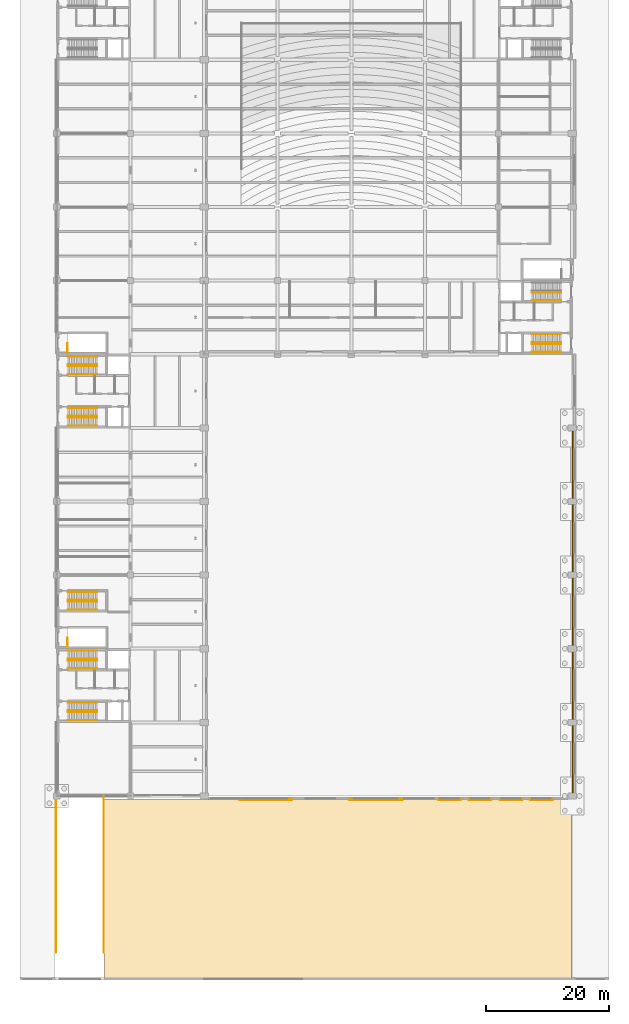
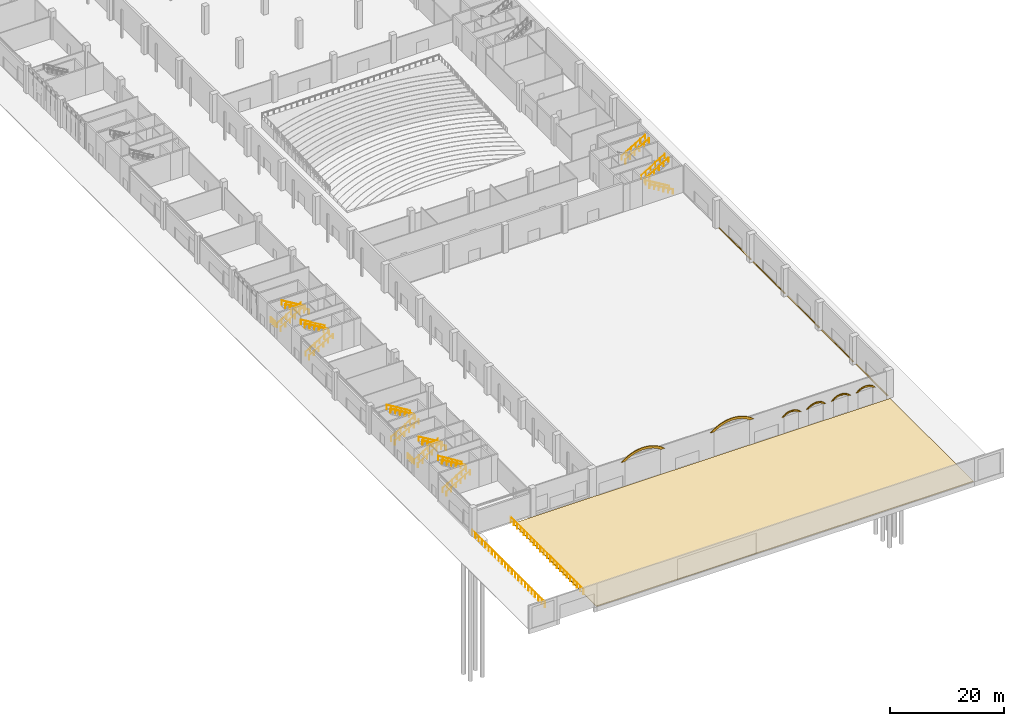
# One storey, part 53 of 59: 30 railings, 12 coverings.
"""IFC4 building model written with IfcOpenShell, lengths in metres."""

from ifc_helpers import new_model, si_unit, direction, frame, origin, origin_2d, place, context, subcontext, project, spatial, polyline, circle, outline, extrude, material, layer, layer_set, constituent, constituent_set, type_object, element, save


model = new_model("IFC4")

# Units and contexts
model_context = context("Model", 3, precision=1e-05, world=origin(), true_north=direction((0.0, 1.0)))
body_context = subcontext(model_context, "Body", "Model", "MODEL_VIEW")
ifc_project = project(units=[si_unit("LENGTHUNIT", "METRE"), si_unit("AREAUNIT", "SQUARE_METRE"), si_unit("VOLUMEUNIT", "CUBIC_METRE"), si_unit("PLANEANGLEUNIT", "RADIAN"), si_unit("MASSUNIT", "GRAM", prefix="KILO")], contexts=[model_context])

# Site, building, storey
site_placement = place(None, origin())
site = spatial("IfcSite", under=ifc_project, at=site_placement, CompositionType="ELEMENT")
building_placement = place(site_placement, origin())
building = spatial("IfcBuilding", under=site, at=building_placement, Name="Lilac Gate Convention Centre", CompositionType="ELEMENT")
storey_placement = place(building_placement, origin())
storey = spatial("IfcBuildingStorey", under=building, at=storey_placement, Name="L00", CompositionType="ELEMENT", Elevation=0.0)

# Coverings
ifc_material_1 = material(Name="Concrete C40 precast", Category="concrete")
ifc_layer_1 = layer(ifc_material_1, 0.1298828125)
ifc_material_2 = material(Name="Terracotta glazed cladding", Category="masonry")
ifc_layer_2 = layer(ifc_material_2, 0.02001953125)
ifc_layer_set_1 = layer_set([ifc_layer_1, ifc_layer_2], Name="Concrete C40 precast, Terracotta glazed cladding")
covering_type_1 = type_object("IfcCoveringType", Name="Cladding archivolt 150", PredefinedType="CLADDING", material=ifc_layer_set_1)
for number, where, z_axis, x_axis, name in (
    (1, (35.6171875, 29.375, 5.39990234375), (0.0, 0.0, 1.0), (1.0, 0.0, 0.0), "Service portal archivolt drive-in 1"),
    (2, (53.6171875, 29.375, 5.39990234375), (0.0, 0.0, 1.0), (1.0, 0.0, 0.0), "Service portal archivolt drive-in 2"),
):
    element("IfcCovering", number, at=place(storey_placement, frame(where, z_axis=z_axis, x_axis=x_axis)), inside=storey, type_object=covering_type_1, Name=name, PredefinedType="CLADDING", context=body_context, shape_type="SweptSolid", body=[
        extrude(outline(polyline([(0.0, 0.0), (0.782958984375, 0.0), (0.782958984375, 0.0), (1.182861328125, 0.275390625), (1.5830078125, 0.506591796875), (1.98291015625, 0.69921875), (2.3828125, 0.85693359375), (2.782958984375, 0.98291015625), (3.182861328125, 1.078857421875), (3.5830078125, 1.146484375), (3.98291015625, 1.186767578125), (4.3828125, 1.2001953125), (4.782958984375, 1.186767578125), (5.182861328125, 1.146484375), (5.5830078125, 1.078857421875), (5.98291015625, 0.98291015625), (6.3828125, 0.85693359375), (6.782958984375, 0.69921875), (7.182861328125, 0.506591796875), (7.5830078125, 0.275390625), (7.98291015625, 0.0), (7.98291015625, 0.0), (8.765869140625, 0.0), (8.765869140625, 0.0), (8.367431640625, 0.335693359375), (7.968994140625, 0.621337890625), (7.570556640625, 0.86474609375), (7.172119140625, 1.0712890625), (6.773681640625, 1.244384765625), (6.375244140625, 1.38720703125), (5.976806640625, 1.501708984375), (5.578369140625, 1.589111328125), (5.1796875, 1.651123046875), (4.781494140625, 1.68798828125), (4.3828125, 1.7001953125), (3.984619140625, 1.68798828125), (3.5859375, 1.651123046875), (3.1875, 1.589111328125), (2.7890625, 1.501708984375), (2.390625, 1.38720703125), (1.9921875, 1.244384765625), (1.59375, 1.0712890625), (1.1953125, 0.86474609375), (0.796875, 0.621337890625), (0.3984375, 0.335693359375), (0.0, 0.0), (0.0, 0.0)])), frame((0.0, 0.074951171875, 0.0), z_axis=(0.0, -1.0, 0.0), x_axis=(1.0, 0.0, 0.0)), (0.0, 0.0, 1.0), 0.14990234375),
    ])
for number, where, z_axis, x_axis, name in (
    (3, (68.0908203125, 29.375, 3.60009765625), (0.0, 0.0, 1.0), (1.0, 0.0, 0.0), "Service portal archivolt dock 1"),
    (4, (73.0908203125, 29.375, 3.60009765625), (0.0, 0.0, 1.0), (1.0, 0.0, 0.0), "Service portal archivolt dock 2"),
    (5, (78.0908203125, 29.375, 3.60009765625), (0.0, 0.0, 1.0), (1.0, 0.0, 0.0), "Service portal archivolt dock 3"),
    (6, (83.0908203125, 29.375, 3.60009765625), (0.0, 0.0, 1.0), (1.0, 0.0, 0.0), "Service portal archivolt dock 4"),
):
    element("IfcCovering", number, at=place(storey_placement, frame(where, z_axis=z_axis, x_axis=x_axis)), inside=storey, type_object=covering_type_1, Name=name, PredefinedType="CLADDING", context=body_context, shape_type="SweptSolid", body=[
        extrude(outline(polyline([(0.0, 0.0), (0.4091796875, 0.0), (0.4091796875, 0.0), (0.7841796875, 0.286376953125), (1.1591796875, 0.466552734375), (1.5341796875, 0.5673828125), (1.9091796875, 0.599853515625), (2.2841796875, 0.5673828125), (2.6591796875, 0.466552734375), (3.0341796875, 0.286376953125), (3.4091796875, 0.0), (3.4091796875, 0.0), (3.818359375, 0.0), (3.818359375, 0.0), (3.4365234375, 0.372314453125), (3.0546875, 0.618896484375), (2.6728515625, 0.779052734375), (2.291015625, 0.870361328125), (1.9091796875, 0.89990234375), (1.52734375, 0.870361328125), (1.1455078125, 0.779052734375), (0.763671875, 0.618896484375), (0.3818359375, 0.372314453125), (0.0, 0.0), (0.0, 0.0)])), frame((0.0, 0.074951171875, 0.0), z_axis=(0.0, -1.0, 0.0), x_axis=(1.0, 0.0, 0.0)), (0.0, 0.0, 1.0), 0.14990234375),
    ])

# Railings
ifc_material_3 = material(Name="Steel Q235B", Category="steel")
ifc_constituent_1 = constituent(ifc_material_3, Name="Frame")
ifc_material_4 = material(Name="Safety glass, bonded interlayer", Category="glass")
ifc_constituent_2 = constituent(ifc_material_4, Name="Infill")
ifc_constituent_set = constituent_set(constituents=[ifc_constituent_1, ifc_constituent_2], Name="Steel Q235B, Safety glass, bonded interlayer")
railing_type_1 = type_object("IfcRailingType", Name="Guard 1100 steel and glass", PredefinedType="GUARDRAIL", material=ifc_constituent_set)
for number, where, name in (
    (7, (7.75, 54.300048828125, 0.0), "Stairwell guard BW1"),
    (8, (7.75, 102.300048828125, 0.0), "Stairwell guard BW2"),
):
    element("IfcRailing", number, at=place(storey_placement, frame(where)), inside=storey, type_object=railing_type_1, Name=name, PredefinedType="GUARDRAIL", context=body_context, shape_type="SweptSolid", body=[
        extrude(circle(Radius=0.02392578125, at=origin_2d()), frame((0.0, 0.0, 1.076171875), z_axis=(0.0, 1.0, 0.0), x_axis=(-1.0, 0.0, 0.0)), (0.0, 0.0, 1.0), 1.5),
        extrude(circle(Radius=0.02099609375, at=origin_2d()), origin(), (0.0, 0.0, 1.0), 1.052001953125),
        extrude(circle(Radius=0.02099609375, at=origin_2d()), frame((0.0, 0.75, 0.0)), (0.0, 0.0, 1.0), 1.052001953125),
        extrude(circle(Radius=0.02099609375, at=origin_2d()), frame((0.0, 1.5, 0.0)), (0.0, 0.0, 1.0), 1.052001953125),
    ])

# Coverings
ifc_material_5 = material(Name="Concrete C30", Category="concrete")
ifc_layer_3 = layer(ifc_material_5, 0.14990234375)
ifc_layer_set_2 = layer_set([ifc_layer_3], Name="Concrete C30")
covering_type_2 = type_object("IfcCoveringType", Name="Paving slab 150", PredefinedType="FLOORING", material=ifc_layer_set_2)
covering_1_placement = place(storey_placement, frame((0.0, 0.0, -0.14990234375)))
element("IfcCovering", 9, at=covering_1_placement, inside=storey, type_object=covering_type_2, Name="Service yard apron 1", PredefinedType="FLOORING", context=body_context, shape_type="SweptSolid", body=[
    extrude(outline(polyline([(90.0, 29.449951171875), (90.0, 0.304931640625), (13.800048828125, 0.304931640625), (13.800048828125, 29.449951171875), (90.0, 29.449951171875)])), origin(), (0.0, 0.0, 1.0), 0.14990234375),
])
covering_2_placement = place(storey_placement, frame((0.0, 0.0, -0.14990234375)))
element("IfcCovering", 10, at=covering_2_placement, inside=storey, type_object=covering_type_2, Name="Lane paving east 2", PredefinedType="FLOORING", context=body_context, shape_type="SweptSolid", body=[
    extrude(outline(polyline([(90.0, 41.5), (90.199951171875, 41.5), (90.199951171875, 30.5), (90.0, 30.5), (90.0, 41.5)])), origin(), (0.0, 0.0, 1.0), 0.14990234375),
])
covering_3_placement = place(storey_placement, frame((0.0, 0.0, -0.14990234375)))
element("IfcCovering", 11, at=covering_3_placement, inside=storey, type_object=covering_type_2, Name="Lane paving east 3", PredefinedType="FLOORING", context=body_context, shape_type="SweptSolid", body=[
    extrude(outline(polyline([(90.0, 53.5), (90.199951171875, 53.5), (90.199951171875, 42.5), (90.0, 42.5), (90.0, 53.5)])), origin(), (0.0, 0.0, 1.0), 0.14990234375),
])
covering_4_placement = place(storey_placement, frame((0.0, 0.0, -0.14990234375)))
element("IfcCovering", 12, at=covering_4_placement, inside=storey, type_object=covering_type_2, Name="Lane paving east 4", PredefinedType="FLOORING", context=body_context, shape_type="SweptSolid", body=[
    extrude(outline(polyline([(90.0, 65.5), (90.199951171875, 65.5), (90.199951171875, 54.5), (90.0, 54.5), (90.0, 65.5)])), origin(), (0.0, 0.0, 1.0), 0.14990234375),
])
covering_5_placement = place(storey_placement, frame((0.0, 0.0, -0.14990234375)))
element("IfcCovering", 13, at=covering_5_placement, inside=storey, type_object=covering_type_2, Name="Lane paving east 5", PredefinedType="FLOORING", context=body_context, shape_type="SweptSolid", body=[
    extrude(outline(polyline([(90.0, 77.5), (90.199951171875, 77.5), (90.199951171875, 66.5), (90.0, 66.5), (90.0, 77.5)])), origin(), (0.0, 0.0, 1.0), 0.14990234375),
])
covering_6_placement = place(storey_placement, frame((0.0, 0.0, -0.14990234375)))
element("IfcCovering", 14, at=covering_6_placement, inside=storey, type_object=covering_type_2, Name="Lane paving east 6", PredefinedType="FLOORING", context=body_context, shape_type="SweptSolid", body=[
    extrude(outline(polyline([(90.0, 89.5), (90.199951171875, 89.5), (90.199951171875, 78.5), (90.0, 78.5), (90.0, 89.5)])), origin(), (0.0, 0.0, 1.0), 0.14990234375),
])

# Railings
ifc_material_6 = material(Name="Steel Q355B", Category="steel")
railing_type_2 = type_object("IfcRailingType", Name="Ramp guard 1100", PredefinedType="GUARDRAIL", material=ifc_material_6)
railing_1_placement = place(storey_placement, frame((5.85009765625, 4.5, 0.0)))
element("IfcRailing", 15, at=railing_1_placement, inside=storey, type_object=railing_type_2, Name="Ramp guard W", PredefinedType="GUARDRAIL", context=body_context, shape_type="SweptSolid", body=[
    extrude(circle(Radius=0.02392578125, at=origin_2d()), frame((0.0, 0.0, 1.076171875), z_axis=(0.0, 1.0, 0.0), x_axis=(-1.0, 0.0, 0.0)), (0.0, 0.0, 1.0), 25.5),
    extrude(circle(Radius=0.02099609375, at=origin_2d()), origin(), (0.0, 0.0, 1.0), 1.052001953125),
    extrude(circle(Radius=0.02099609375, at=origin_2d()), frame((0.0, 1.1591796875, 0.0)), (0.0, 0.0, 1.0), 1.052001953125),
    extrude(circle(Radius=0.02099609375, at=origin_2d()), frame((0.0, 2.318115234375, 0.0)), (0.0, 0.0, 1.0), 1.052001953125),
    extrude(circle(Radius=0.02099609375, at=origin_2d()), frame((0.0, 3.477294921875, 0.0)), (0.0, 0.0, 1.0), 1.052001953125),
    extrude(circle(Radius=0.02099609375, at=origin_2d()), frame((0.0, 4.636474609375, 0.0)), (0.0, 0.0, 1.0), 1.052001953125),
    extrude(circle(Radius=0.02099609375, at=origin_2d()), frame((0.0, 5.79541015625, 0.0)), (0.0, 0.0, 1.0), 1.052001953125),
    extrude(circle(Radius=0.02099609375, at=origin_2d()), frame((0.0, 6.95458984375, 0.0)), (0.0, 0.0, 1.0), 1.052001953125),
    extrude(circle(Radius=0.02099609375, at=origin_2d()), frame((0.0, 8.113525390625, 0.0)), (0.0, 0.0, 1.0), 1.052001953125),
    extrude(circle(Radius=0.02099609375, at=origin_2d()), frame((0.0, 9.272705078125, 0.0)), (0.0, 0.0, 1.0), 1.052001953125),
    extrude(circle(Radius=0.02099609375, at=origin_2d()), frame((0.0, 10.431884765625, 0.0)), (0.0, 0.0, 1.0), 1.052001953125),
    extrude(circle(Radius=0.02099609375, at=origin_2d()), frame((0.0, 11.5908203125, 0.0)), (0.0, 0.0, 1.0), 1.052001953125),
    extrude(circle(Radius=0.02099609375, at=origin_2d()), frame((0.0, 12.75, 0.0)), (0.0, 0.0, 1.0), 1.052001953125),
    extrude(circle(Radius=0.02099609375, at=origin_2d()), frame((0.0, 13.9091796875, 0.0)), (0.0, 0.0, 1.0), 1.052001953125),
    extrude(circle(Radius=0.02099609375, at=origin_2d()), frame((0.0, 15.068115234375, 0.0)), (0.0, 0.0, 1.0), 1.052001953125),
    extrude(circle(Radius=0.02099609375, at=origin_2d()), frame((0.0, 16.227294921875, 0.0)), (0.0, 0.0, 1.0), 1.052001953125),
    extrude(circle(Radius=0.02099609375, at=origin_2d()), frame((0.0, 17.386474609375, 0.0)), (0.0, 0.0, 1.0), 1.052001953125),
    extrude(circle(Radius=0.02099609375, at=origin_2d()), frame((0.0, 18.54541015625, 0.0)), (0.0, 0.0, 1.0), 1.052001953125),
    extrude(circle(Radius=0.02099609375, at=origin_2d()), frame((0.0, 19.70458984375, 0.0)), (0.0, 0.0, 1.0), 1.052001953125),
    extrude(circle(Radius=0.02099609375, at=origin_2d()), frame((0.0, 20.863525390625, 0.0)), (0.0, 0.0, 1.0), 1.052001953125),
    extrude(circle(Radius=0.02099609375, at=origin_2d()), frame((0.0, 22.022705078125, 0.0)), (0.0, 0.0, 1.0), 1.052001953125),
    extrude(circle(Radius=0.02099609375, at=origin_2d()), frame((0.0, 23.181884765625, 0.0)), (0.0, 0.0, 1.0), 1.052001953125),
    extrude(circle(Radius=0.02099609375, at=origin_2d()), frame((0.0, 24.3408203125, 0.0)), (0.0, 0.0, 1.0), 1.052001953125),
    extrude(circle(Radius=0.02099609375, at=origin_2d()), frame((0.0, 25.5, 0.0)), (0.0, 0.0, 1.0), 1.052001953125),
])
railing_2_placement = place(storey_placement, frame((13.64990234375, 4.5, 0.0)))
element("IfcRailing", 16, at=railing_2_placement, inside=storey, type_object=railing_type_2, Name="Ramp guard E", PredefinedType="GUARDRAIL", context=body_context, shape_type="SweptSolid", body=[
    extrude(circle(Radius=0.02392578125, at=origin_2d()), frame((0.0, 0.0, 1.076171875), z_axis=(0.0, 1.0, 0.0), x_axis=(-1.0, 0.0, 0.0)), (0.0, 0.0, 1.0), 25.5),
    extrude(circle(Radius=0.02099609375, at=origin_2d()), origin(), (0.0, 0.0, 1.0), 1.052001953125),
    extrude(circle(Radius=0.02099609375, at=origin_2d()), frame((0.0, 1.1591796875, 0.0)), (0.0, 0.0, 1.0), 1.052001953125),
    extrude(circle(Radius=0.02099609375, at=origin_2d()), frame((0.0, 2.318115234375, 0.0)), (0.0, 0.0, 1.0), 1.052001953125),
    extrude(circle(Radius=0.02099609375, at=origin_2d()), frame((0.0, 3.477294921875, 0.0)), (0.0, 0.0, 1.0), 1.052001953125),
    extrude(circle(Radius=0.02099609375, at=origin_2d()), frame((0.0, 4.636474609375, 0.0)), (0.0, 0.0, 1.0), 1.052001953125),
    extrude(circle(Radius=0.02099609375, at=origin_2d()), frame((0.0, 5.79541015625, 0.0)), (0.0, 0.0, 1.0), 1.052001953125),
    extrude(circle(Radius=0.02099609375, at=origin_2d()), frame((0.0, 6.95458984375, 0.0)), (0.0, 0.0, 1.0), 1.052001953125),
    extrude(circle(Radius=0.02099609375, at=origin_2d()), frame((0.0, 8.113525390625, 0.0)), (0.0, 0.0, 1.0), 1.052001953125),
    extrude(circle(Radius=0.02099609375, at=origin_2d()), frame((0.0, 9.272705078125, 0.0)), (0.0, 0.0, 1.0), 1.052001953125),
    extrude(circle(Radius=0.02099609375, at=origin_2d()), frame((0.0, 10.431884765625, 0.0)), (0.0, 0.0, 1.0), 1.052001953125),
    extrude(circle(Radius=0.02099609375, at=origin_2d()), frame((0.0, 11.5908203125, 0.0)), (0.0, 0.0, 1.0), 1.052001953125),
    extrude(circle(Radius=0.02099609375, at=origin_2d()), frame((0.0, 12.75, 0.0)), (0.0, 0.0, 1.0), 1.052001953125),
    extrude(circle(Radius=0.02099609375, at=origin_2d()), frame((0.0, 13.9091796875, 0.0)), (0.0, 0.0, 1.0), 1.052001953125),
    extrude(circle(Radius=0.02099609375, at=origin_2d()), frame((0.0, 15.068115234375, 0.0)), (0.0, 0.0, 1.0), 1.052001953125),
    extrude(circle(Radius=0.02099609375, at=origin_2d()), frame((0.0, 16.227294921875, 0.0)), (0.0, 0.0, 1.0), 1.052001953125),
    extrude(circle(Radius=0.02099609375, at=origin_2d()), frame((0.0, 17.386474609375, 0.0)), (0.0, 0.0, 1.0), 1.052001953125),
    extrude(circle(Radius=0.02099609375, at=origin_2d()), frame((0.0, 18.54541015625, 0.0)), (0.0, 0.0, 1.0), 1.052001953125),
    extrude(circle(Radius=0.02099609375, at=origin_2d()), frame((0.0, 19.70458984375, 0.0)), (0.0, 0.0, 1.0), 1.052001953125),
    extrude(circle(Radius=0.02099609375, at=origin_2d()), frame((0.0, 20.863525390625, 0.0)), (0.0, 0.0, 1.0), 1.052001953125),
    extrude(circle(Radius=0.02099609375, at=origin_2d()), frame((0.0, 22.022705078125, 0.0)), (0.0, 0.0, 1.0), 1.052001953125),
    extrude(circle(Radius=0.02099609375, at=origin_2d()), frame((0.0, 23.181884765625, 0.0)), (0.0, 0.0, 1.0), 1.052001953125),
    extrude(circle(Radius=0.02099609375, at=origin_2d()), frame((0.0, 24.3408203125, 0.0)), (0.0, 0.0, 1.0), 1.052001953125),
    extrude(circle(Radius=0.02099609375, at=origin_2d()), frame((0.0, 25.5, 0.0)), (0.0, 0.0, 1.0), 1.052001953125),
])
ifc_material_7 = material(Name="Stainless steel 304", Category="steel")
railing_type_3 = type_object("IfcRailingType", Name="Stair handrail 900", PredefinedType="HANDRAIL", material=ifc_material_7)
for number, where, name in (
    (17, (7.800048828125, 42.35009765625, 0.166748046875), "Stair handrail W1A"),
    (18, (7.800048828125, 43.64990234375, 0.166748046875), "Stair handrail W1A"),
):
    element("IfcRailing", number, at=place(storey_placement, frame(where)), inside=storey, type_object=railing_type_3, Name=name, PredefinedType="HANDRAIL", context=body_context, shape_type="SweptSolid", body=[
        extrude(circle(Radius=0.02392578125, at=origin_2d()), frame((0.0, 0.0, 0.8759765625), z_axis=(0.859299802514, 0.0, 0.511472237174), x_axis=(0.0, 1.0, 0.0)), (0.0, 0.0, 1.0), 5.539306640625),
        extrude(circle(Radius=0.02099609375, at=origin_2d()), origin(), (0.0, 0.0, 1.0), 0.851806640625),
        extrude(circle(Radius=0.02099609375, at=origin_2d()), frame((0.951904296875, 0.0, 0.566650390625)), (0.0, 0.0, 1.0), 0.851806640625),
        extrude(circle(Radius=0.02099609375, at=origin_2d()), frame((1.904052734375, 0.0, 1.13330078125)), (0.0, 0.0, 1.0), 0.851806640625),
        extrude(circle(Radius=0.02099609375, at=origin_2d()), frame((2.85595703125, 0.0, 1.699951171875)), (0.0, 0.0, 1.0), 0.851806640625),
        extrude(circle(Radius=0.02099609375, at=origin_2d()), frame((3.80810546875, 0.0, 2.2666015625)), (0.0, 0.0, 1.0), 0.851806640625),
        extrude(circle(Radius=0.02099609375, at=origin_2d()), frame((4.760009765625, 0.0, 2.833251953125)), (0.0, 0.0, 1.0), 0.851806640625),
    ])
for number, where, name in (
    (19, (12.56005859375, 43.949951171875, 3.166748046875), "Stair handrail W1A"),
    (20, (12.56005859375, 45.25, 3.166748046875), "Stair handrail W1A"),
):
    element("IfcRailing", number, at=place(storey_placement, frame(where)), inside=storey, type_object=railing_type_3, Name=name, PredefinedType="HANDRAIL", context=body_context, shape_type="SweptSolid", body=[
        extrude(circle(Radius=0.02392578125, at=origin_2d()), frame((0.0, 0.0, 0.8759765625), z_axis=(-0.859299802514, 0.0, 0.511472237174), x_axis=(0.0, -1.0, 0.0)), (0.0, 0.0, 1.0), 5.539306640625),
        extrude(circle(Radius=0.02099609375, at=origin_2d()), origin(), (0.0, 0.0, 1.0), 0.851806640625),
        extrude(circle(Radius=0.02099609375, at=origin_2d()), frame((-0.951904296875, 0.0, 0.566650390625)), (0.0, 0.0, 1.0), 0.851806640625),
        extrude(circle(Radius=0.02099609375, at=origin_2d()), frame((-1.904052734375, 0.0, 1.13330078125)), (0.0, 0.0, 1.0), 0.851806640625),
        extrude(circle(Radius=0.02099609375, at=origin_2d()), frame((-2.85595703125, 0.0, 1.699951171875)), (0.0, 0.0, 1.0), 0.851806640625),
        extrude(circle(Radius=0.02099609375, at=origin_2d()), frame((-3.80810546875, 0.0, 2.2666015625)), (0.0, 0.0, 1.0), 0.851806640625),
        extrude(circle(Radius=0.02099609375, at=origin_2d()), frame((-4.760009765625, 0.0, 2.833251953125)), (0.0, 0.0, 1.0), 0.851806640625),
    ])
for number, where, name in (
    (21, (7.800048828125, 52.35009765625, 0.166748046875), "Stair handrail W1B"),
    (22, (7.800048828125, 53.64990234375, 0.166748046875), "Stair handrail W1B"),
):
    element("IfcRailing", number, at=place(storey_placement, frame(where)), inside=storey, type_object=railing_type_3, Name=name, PredefinedType="HANDRAIL", context=body_context, shape_type="SweptSolid", body=[
        extrude(circle(Radius=0.02392578125, at=origin_2d()), frame((0.0, 0.0, 0.8759765625), z_axis=(0.859299802514, 0.0, 0.511472237174), x_axis=(0.0, 1.0, 0.0)), (0.0, 0.0, 1.0), 5.539306640625),
        extrude(circle(Radius=0.02099609375, at=origin_2d()), origin(), (0.0, 0.0, 1.0), 0.851806640625),
        extrude(circle(Radius=0.02099609375, at=origin_2d()), frame((0.951904296875, 0.0, 0.566650390625)), (0.0, 0.0, 1.0), 0.851806640625),
        extrude(circle(Radius=0.02099609375, at=origin_2d()), frame((1.904052734375, 0.0, 1.13330078125)), (0.0, 0.0, 1.0), 0.851806640625),
        extrude(circle(Radius=0.02099609375, at=origin_2d()), frame((2.85595703125, 0.0, 1.699951171875)), (0.0, 0.0, 1.0), 0.851806640625),
        extrude(circle(Radius=0.02099609375, at=origin_2d()), frame((3.80810546875, 0.0, 2.2666015625)), (0.0, 0.0, 1.0), 0.851806640625),
        extrude(circle(Radius=0.02099609375, at=origin_2d()), frame((4.760009765625, 0.0, 2.833251953125)), (0.0, 0.0, 1.0), 0.851806640625),
    ])
for number, where, name in (
    (23, (12.56005859375, 50.75, 3.166748046875), "Stair handrail W1B"),
    (24, (12.56005859375, 52.050048828125, 3.166748046875), "Stair handrail W1B"),
):
    element("IfcRailing", number, at=place(storey_placement, frame(where)), inside=storey, type_object=railing_type_3, Name=name, PredefinedType="HANDRAIL", context=body_context, shape_type="SweptSolid", body=[
        extrude(circle(Radius=0.02392578125, at=origin_2d()), frame((0.0, 0.0, 0.8759765625), z_axis=(-0.859299802514, 0.0, 0.511472237174), x_axis=(0.0, -1.0, 0.0)), (0.0, 0.0, 1.0), 5.539306640625),
        extrude(circle(Radius=0.02099609375, at=origin_2d()), origin(), (0.0, 0.0, 1.0), 0.851806640625),
        extrude(circle(Radius=0.02099609375, at=origin_2d()), frame((-0.951904296875, 0.0, 0.566650390625)), (0.0, 0.0, 1.0), 0.851806640625),
        extrude(circle(Radius=0.02099609375, at=origin_2d()), frame((-1.904052734375, 0.0, 1.13330078125)), (0.0, 0.0, 1.0), 0.851806640625),
        extrude(circle(Radius=0.02099609375, at=origin_2d()), frame((-2.85595703125, 0.0, 1.699951171875)), (0.0, 0.0, 1.0), 0.851806640625),
        extrude(circle(Radius=0.02099609375, at=origin_2d()), frame((-3.80810546875, 0.0, 2.2666015625)), (0.0, 0.0, 1.0), 0.851806640625),
        extrude(circle(Radius=0.02099609375, at=origin_2d()), frame((-4.760009765625, 0.0, 2.833251953125)), (0.0, 0.0, 1.0), 0.851806640625),
    ])
for number, where, name in (
    (25, (7.800048828125, 90.35009765625, 0.166748046875), "Stair handrail W2A"),
    (26, (7.800048828125, 91.64990234375, 0.166748046875), "Stair handrail W2A"),
):
    element("IfcRailing", number, at=place(storey_placement, frame(where)), inside=storey, type_object=railing_type_3, Name=name, PredefinedType="HANDRAIL", context=body_context, shape_type="SweptSolid", body=[
        extrude(circle(Radius=0.02392578125, at=origin_2d()), frame((0.0, 0.0, 0.8759765625), z_axis=(0.859299802514, 0.0, 0.511472237174), x_axis=(0.0, 1.0, 0.0)), (0.0, 0.0, 1.0), 5.539306640625),
        extrude(circle(Radius=0.02099609375, at=origin_2d()), origin(), (0.0, 0.0, 1.0), 0.851806640625),
        extrude(circle(Radius=0.02099609375, at=origin_2d()), frame((0.951904296875, 0.0, 0.566650390625)), (0.0, 0.0, 1.0), 0.851806640625),
        extrude(circle(Radius=0.02099609375, at=origin_2d()), frame((1.904052734375, 0.0, 1.13330078125)), (0.0, 0.0, 1.0), 0.851806640625),
        extrude(circle(Radius=0.02099609375, at=origin_2d()), frame((2.85595703125, 0.0, 1.699951171875)), (0.0, 0.0, 1.0), 0.851806640625),
        extrude(circle(Radius=0.02099609375, at=origin_2d()), frame((3.80810546875, 0.0, 2.2666015625)), (0.0, 0.0, 1.0), 0.851806640625),
        extrude(circle(Radius=0.02099609375, at=origin_2d()), frame((4.760009765625, 0.0, 2.833251953125)), (0.0, 0.0, 1.0), 0.851806640625),
    ])
for number, where, name in (
    (27, (12.56005859375, 91.949951171875, 3.166748046875), "Stair handrail W2A"),
    (28, (12.56005859375, 93.25, 3.166748046875), "Stair handrail W2A"),
):
    element("IfcRailing", number, at=place(storey_placement, frame(where)), inside=storey, type_object=railing_type_3, Name=name, PredefinedType="HANDRAIL", context=body_context, shape_type="SweptSolid", body=[
        extrude(circle(Radius=0.02392578125, at=origin_2d()), frame((0.0, 0.0, 0.8759765625), z_axis=(-0.859299802514, 0.0, 0.511472237174), x_axis=(0.0, -1.0, 0.0)), (0.0, 0.0, 1.0), 5.539306640625),
        extrude(circle(Radius=0.02099609375, at=origin_2d()), origin(), (0.0, 0.0, 1.0), 0.851806640625),
        extrude(circle(Radius=0.02099609375, at=origin_2d()), frame((-0.951904296875, 0.0, 0.566650390625)), (0.0, 0.0, 1.0), 0.851806640625),
        extrude(circle(Radius=0.02099609375, at=origin_2d()), frame((-1.904052734375, 0.0, 1.13330078125)), (0.0, 0.0, 1.0), 0.851806640625),
        extrude(circle(Radius=0.02099609375, at=origin_2d()), frame((-2.85595703125, 0.0, 1.699951171875)), (0.0, 0.0, 1.0), 0.851806640625),
        extrude(circle(Radius=0.02099609375, at=origin_2d()), frame((-3.80810546875, 0.0, 2.2666015625)), (0.0, 0.0, 1.0), 0.851806640625),
        extrude(circle(Radius=0.02099609375, at=origin_2d()), frame((-4.760009765625, 0.0, 2.833251953125)), (0.0, 0.0, 1.0), 0.851806640625),
    ])
for number, where, name in (
    (29, (7.800048828125, 100.35009765625, 0.166748046875), "Stair handrail W2B"),
    (30, (7.800048828125, 101.64990234375, 0.166748046875), "Stair handrail W2B"),
):
    element("IfcRailing", number, at=place(storey_placement, frame(where)), inside=storey, type_object=railing_type_3, Name=name, PredefinedType="HANDRAIL", context=body_context, shape_type="SweptSolid", body=[
        extrude(circle(Radius=0.02392578125, at=origin_2d()), frame((0.0, 0.0, 0.8759765625), z_axis=(0.859299802514, 0.0, 0.511472237174), x_axis=(0.0, 1.0, 0.0)), (0.0, 0.0, 1.0), 5.539306640625),
        extrude(circle(Radius=0.02099609375, at=origin_2d()), origin(), (0.0, 0.0, 1.0), 0.851806640625),
        extrude(circle(Radius=0.02099609375, at=origin_2d()), frame((0.951904296875, 0.0, 0.566650390625)), (0.0, 0.0, 1.0), 0.851806640625),
        extrude(circle(Radius=0.02099609375, at=origin_2d()), frame((1.904052734375, 0.0, 1.13330078125)), (0.0, 0.0, 1.0), 0.851806640625),
        extrude(circle(Radius=0.02099609375, at=origin_2d()), frame((2.85595703125, 0.0, 1.699951171875)), (0.0, 0.0, 1.0), 0.851806640625),
        extrude(circle(Radius=0.02099609375, at=origin_2d()), frame((3.80810546875, 0.0, 2.2666015625)), (0.0, 0.0, 1.0), 0.851806640625),
        extrude(circle(Radius=0.02099609375, at=origin_2d()), frame((4.760009765625, 0.0, 2.833251953125)), (0.0, 0.0, 1.0), 0.851806640625),
    ])
for number, where, name in (
    (31, (12.56005859375, 98.75, 3.166748046875), "Stair handrail W2B"),
    (32, (12.56005859375, 100.050048828125, 3.166748046875), "Stair handrail W2B"),
    (33, (88.199951171875, 102.35009765625, 0.166748046875), "Stair handrail E1A"),
    (34, (88.199951171875, 103.64990234375, 0.166748046875), "Stair handrail E1A"),
):
    element("IfcRailing", number, at=place(storey_placement, frame(where)), inside=storey, type_object=railing_type_3, Name=name, PredefinedType="HANDRAIL", context=body_context, shape_type="SweptSolid", body=[
        extrude(circle(Radius=0.02392578125, at=origin_2d()), frame((0.0, 0.0, 0.8759765625), z_axis=(-0.859299802514, 0.0, 0.511472237174), x_axis=(0.0, -1.0, 0.0)), (0.0, 0.0, 1.0), 5.539306640625),
        extrude(circle(Radius=0.02099609375, at=origin_2d()), origin(), (0.0, 0.0, 1.0), 0.851806640625),
        extrude(circle(Radius=0.02099609375, at=origin_2d()), frame((-0.951904296875, 0.0, 0.566650390625)), (0.0, 0.0, 1.0), 0.851806640625),
        extrude(circle(Radius=0.02099609375, at=origin_2d()), frame((-1.904052734375, 0.0, 1.13330078125)), (0.0, 0.0, 1.0), 0.851806640625),
        extrude(circle(Radius=0.02099609375, at=origin_2d()), frame((-2.85595703125, 0.0, 1.699951171875)), (0.0, 0.0, 1.0), 0.851806640625),
        extrude(circle(Radius=0.02099609375, at=origin_2d()), frame((-3.80810546875, 0.0, 2.2666015625)), (0.0, 0.0, 1.0), 0.851806640625),
        extrude(circle(Radius=0.02099609375, at=origin_2d()), frame((-4.760009765625, 0.0, 2.833251953125)), (0.0, 0.0, 1.0), 0.851806640625),
    ])
for number, where, name in (
    (35, (83.43994140625, 103.949951171875, 3.166748046875), "Stair handrail E1A"),
    (36, (83.43994140625, 105.25, 3.166748046875), "Stair handrail E1A"),
    (37, (83.43994140625, 110.75, 3.166748046875), "Stair handrail E1B"),
    (38, (83.43994140625, 112.050048828125, 3.166748046875), "Stair handrail E1B"),
    (39, (7.800048828125, 60.35009765625, 0.166748046875), "Stair handrail UW1"),
    (40, (7.800048828125, 61.64990234375, 0.166748046875), "Stair handrail UW1"),
):
    element("IfcRailing", number, at=place(storey_placement, frame(where)), inside=storey, type_object=railing_type_3, Name=name, PredefinedType="HANDRAIL", context=body_context, shape_type="SweptSolid", body=[
        extrude(circle(Radius=0.02392578125, at=origin_2d()), frame((0.0, 0.0, 0.8759765625), z_axis=(0.859299802514, 0.0, 0.511472237174), x_axis=(0.0, 1.0, 0.0)), (0.0, 0.0, 1.0), 5.539306640625),
        extrude(circle(Radius=0.02099609375, at=origin_2d()), origin(), (0.0, 0.0, 1.0), 0.851806640625),
        extrude(circle(Radius=0.02099609375, at=origin_2d()), frame((0.951904296875, 0.0, 0.566650390625)), (0.0, 0.0, 1.0), 0.851806640625),
        extrude(circle(Radius=0.02099609375, at=origin_2d()), frame((1.904052734375, 0.0, 1.13330078125)), (0.0, 0.0, 1.0), 0.851806640625),
        extrude(circle(Radius=0.02099609375, at=origin_2d()), frame((2.85595703125, 0.0, 1.699951171875)), (0.0, 0.0, 1.0), 0.851806640625),
        extrude(circle(Radius=0.02099609375, at=origin_2d()), frame((3.80810546875, 0.0, 2.2666015625)), (0.0, 0.0, 1.0), 0.851806640625),
        extrude(circle(Radius=0.02099609375, at=origin_2d()), frame((4.760009765625, 0.0, 2.833251953125)), (0.0, 0.0, 1.0), 0.851806640625),
    ])
for number, where, name in (
    (41, (12.56005859375, 61.949951171875, 3.166748046875), "Stair handrail UW1"),
    (42, (12.56005859375, 63.25, 3.166748046875), "Stair handrail UW1"),
):
    element("IfcRailing", number, at=place(storey_placement, frame(where)), inside=storey, type_object=railing_type_3, Name=name, PredefinedType="HANDRAIL", context=body_context, shape_type="SweptSolid", body=[
        extrude(circle(Radius=0.02392578125, at=origin_2d()), frame((0.0, 0.0, 0.8759765625), z_axis=(-0.859299802514, 0.0, 0.511472237174), x_axis=(0.0, -1.0, 0.0)), (0.0, 0.0, 1.0), 5.539306640625),
        extrude(circle(Radius=0.02099609375, at=origin_2d()), origin(), (0.0, 0.0, 1.0), 0.851806640625),
        extrude(circle(Radius=0.02099609375, at=origin_2d()), frame((-0.951904296875, 0.0, 0.566650390625)), (0.0, 0.0, 1.0), 0.851806640625),
        extrude(circle(Radius=0.02099609375, at=origin_2d()), frame((-1.904052734375, 0.0, 1.13330078125)), (0.0, 0.0, 1.0), 0.851806640625),
        extrude(circle(Radius=0.02099609375, at=origin_2d()), frame((-2.85595703125, 0.0, 1.699951171875)), (0.0, 0.0, 1.0), 0.851806640625),
        extrude(circle(Radius=0.02099609375, at=origin_2d()), frame((-3.80810546875, 0.0, 2.2666015625)), (0.0, 0.0, 1.0), 0.851806640625),
        extrude(circle(Radius=0.02099609375, at=origin_2d()), frame((-4.760009765625, 0.0, 2.833251953125)), (0.0, 0.0, 1.0), 0.851806640625),
    ])

save(model, "model.ifc")
